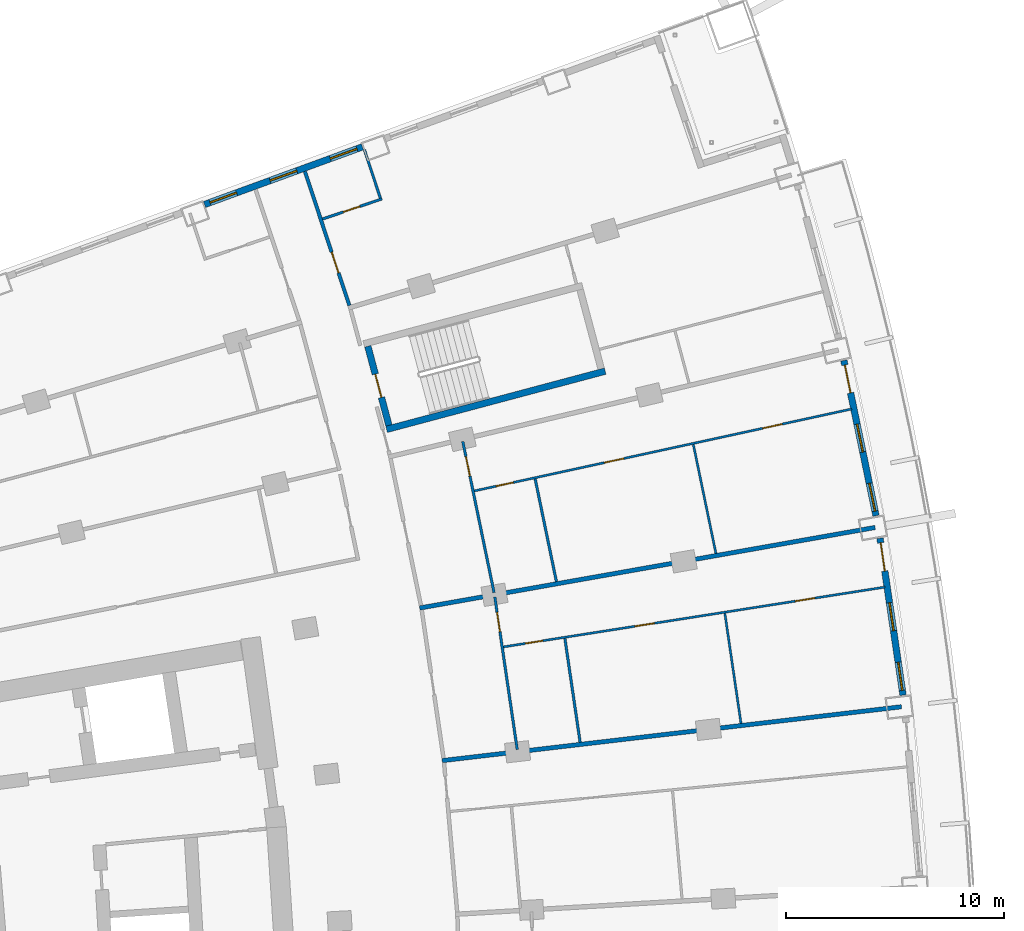
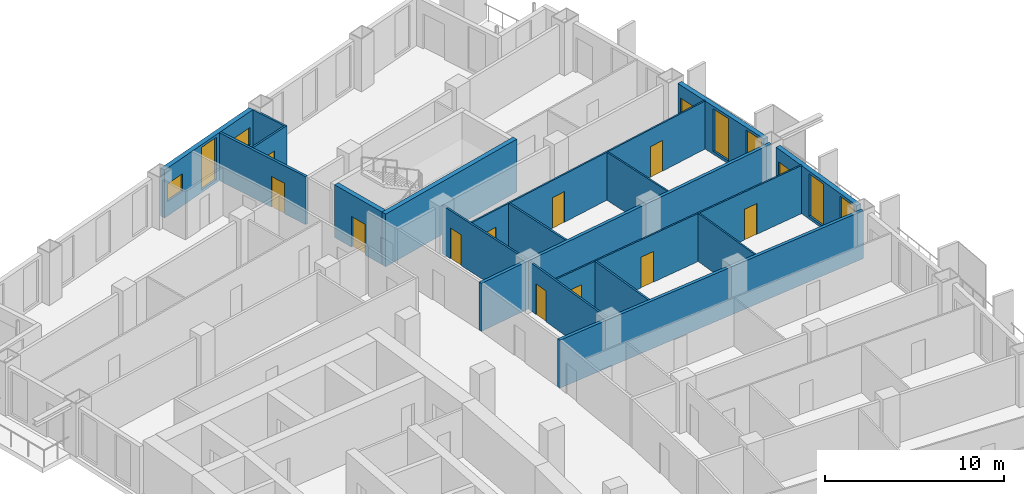
# One storey, part 18 of 23: 18 walls, 13 doors, 7 windows, 20 openings.
"""IFC4 building model written with IfcOpenShell, lengths in metres."""

from ifc_helpers import new_model, si_unit, direction, frame, frame_2d, origin, place, context, subcontext, project, spatial, rectangle, extrude, material, layer, layer_set, type_object, element, fill, save


model = new_model("IFC4")

# Units and contexts
model_context = context("Model", 3, precision=1e-05, world=origin(), true_north=direction((0.0, 1.0)))
body_context = subcontext(model_context, "Body", "Model", "MODEL_VIEW")
ifc_project = project(units=[si_unit("LENGTHUNIT", "METRE"), si_unit("AREAUNIT", "SQUARE_METRE"), si_unit("VOLUMEUNIT", "CUBIC_METRE"), si_unit("PLANEANGLEUNIT", "RADIAN"), si_unit("MASSUNIT", "GRAM", prefix="KILO")], contexts=[model_context])

# Site, building, storey
site_placement = place(None, origin())
site = spatial("IfcSite", under=ifc_project, at=site_placement, CompositionType="ELEMENT")
building_placement = place(site_placement, origin())
building = spatial("IfcBuilding", under=site, at=building_placement, Name="Alderwake Tower", CompositionType="ELEMENT")
storey_placement = place(building_placement, frame((0.0, 0.0, 71.60009765625)))
storey = spatial("IfcBuildingStorey", under=building, at=storey_placement, Name="L17", CompositionType="ELEMENT", Elevation=71.60009765625)

# Wall
ifc_material_1 = material(Name="Concrete C70/85", Category="concrete")
ifc_layer_1 = layer(ifc_material_1, 0.300048828125)
ifc_layer_set_1 = layer_set([ifc_layer_1], Name="Core wall stair enclosure 300 C70-85")
wall_type_1 = type_object("IfcWallType", Name="Core wall stair enclosure 300 C70-85", PredefinedType="SHEAR", material=ifc_layer_set_1)
wall_1_placement = place(storey_placement, frame((37.75390625, 90.268798828125, 0.0), z_axis=(0.0, 0.0, 1.0), x_axis=(0.966309214305, 0.257383958996, 0.0)))
element("IfcWall", 1, at=wall_1_placement, inside=storey, type_object=wall_type_1, Name="Core wall CW.084", PredefinedType="SHEAR", context=body_context, shape_type="SweptSolid", body=[
    extrude(rectangle(XDim=10.360107421875, YDim=0.300048828125, at=frame_2d((5.18017578125, 0.0))), origin(), (0.0, 0.0, 1.0), 3.599853515625),
])

# Wall, opening, door
wall_2_placement = place(storey_placement, frame((37.8603515625, 90.452392578125, 0.0), z_axis=(0.0, 0.0, 1.0), x_axis=(-0.257411420208, 0.966301899381, 0.0)))
wall_2 = element("IfcWall", 2, at=wall_2_placement, inside=storey, type_object=wall_type_1, Name="Core wall CW.083", PredefinedType="SHEAR", context=body_context, shape_type="SweptSolid", body=[
    extrude(rectangle(XDim=3.750244140625, YDim=0.300048828125, at=frame_2d((1.875, 0.0))), origin(), (0.0, 0.0, 1.0), 3.599853515625),
])
opening_1_placement = place(wall_2_placement, frame((1.324951171875, 0.0, 0.0)))
opening_1 = element("IfcOpeningElement", 3, at=opening_1_placement, cuts=wall_2, Name="Opening C062", PredefinedType="OPENING", context=body_context, shape_type="SweptSolid", body=[
    extrude(rectangle(XDim=1.10009765625, YDim=2.10009765625, at=frame_2d((0.550048828125, 1.050048828125))), frame((0.0, 0.159912109375, 0.0), z_axis=(0.0, -1.0, 0.0), x_axis=(1.0, 0.0, 0.0)), (0.0, 0.0, 1.0), 0.320068359375),
])
ifc_material_2 = material(Name="Steel-framed fire door leaf", Category="steel")
door_type_1 = type_object("IfcDoorType", Name="Core stair door 1100 fire-rated", OperationType="SINGLE_SWING_LEFT", PredefinedType="DOOR", material=ifc_material_2)
door_1_placement = place(opening_1_placement, origin())
door_1 = element("IfcDoor", 4, at=door_1_placement, inside=storey, type_object=door_type_1, Name="Stair door", OperationType="SINGLE_SWING_RIGHT", OverallHeight=2.10009765625, OverallWidth=1.10009765625, PredefinedType="DOOR", context=body_context, shape_type="SweptSolid", body=[
    extrude(rectangle(XDim=1.10009765625, YDim=2.10009765625, at=frame_2d((0.550048828125, 1.050048828125))), frame((0.0, 0.02490234375, 0.0), z_axis=(0.0, -1.0, 0.0), x_axis=(1.0, 0.0, 0.0)), (0.0, 0.0, 1.0), 0.050048828125),
])
fill(opening_1, door_1)

ifc_material_3 = material(Name="Gypsum board on metal studs, rated")
ifc_layer_2 = layer(ifc_material_3, 0.159912109375)
ifc_layer_set_2 = layer_set([ifc_layer_2], Name="Corridor wall 160")
wall_type_2 = type_object("IfcWallType", Name="Corridor wall 160", PredefinedType="PARTITIONING", material=ifc_layer_set_2)
wall_3_placement = place(storey_placement, frame((34.010986328125, 102.083984375, 0.0), z_axis=(0.0, 0.0, 1.0), x_axis=(0.315140606423, -0.949044992708, 0.0)))
wall_3 = element("IfcWall", 5, at=wall_3_placement, inside=storey, type_object=wall_type_2, Name="WL/L17/W29", PredefinedType="PARTITIONING", context=body_context, shape_type="SweptSolid", body=[
    extrude(rectangle(XDim=6.46875, YDim=0.159912109375, at=frame_2d((3.234375, 0.0))), origin(), (0.0, 0.0, 1.0), 3.27978515625),
])
opening_2_placement = place(wall_3_placement, frame((3.897705078125, 0.0, 0.0)))
opening_2 = element("IfcOpeningElement", 6, at=opening_2_placement, cuts=wall_3, Name="Opening R04-U04.1", PredefinedType="OPENING", context=body_context, shape_type="SweptSolid", body=[
    extrude(rectangle(XDim=1.0, YDim=2.10009765625, at=frame_2d((0.5, 1.050048828125))), frame((0.0, 0.08984375, 0.0), z_axis=(0.0, -1.0, 0.0), x_axis=(1.0, 0.0, 0.0)), (0.0, 0.0, 1.0), 0.179931640625),
])
ifc_material_4 = material(Name="Solid timber leaf in steel frame", Category="steel")
door_type_2 = type_object("IfcDoorType", Name="Flat entrance door 1000 fire-rated", OperationType="SINGLE_SWING_LEFT", PredefinedType="DOOR", material=ifc_material_4)
door_2_placement = place(opening_2_placement, origin())
door_2 = element("IfcDoor", 7, at=door_2_placement, inside=storey, type_object=door_type_2, Name="DR/L17/U04.1", OperationType="SINGLE_SWING_LEFT", OverallHeight=2.10009765625, OverallWidth=1.0, PredefinedType="DOOR", context=body_context, shape_type="SweptSolid", body=[
    extrude(rectangle(XDim=1.0, YDim=2.10009765625, at=frame_2d((0.5, 1.050048828125))), frame((0.0, 0.02490234375, 0.0), z_axis=(0.0, -1.0, 0.0), x_axis=(1.0, 0.0, 0.0)), (0.0, 0.0, 1.0), 0.050048828125),
])
fill(opening_2, door_2)

# Wall, openings, door, windows
ifc_material_5 = material(Name="Precast concrete C50/60 spandrel panel", Category="concrete")
ifc_layer_3 = layer(ifc_material_5, 0.300048828125)
ifc_layer_set_3 = layer_set([ifc_layer_3], Name="External wall EW1 Precast concrete C50/60 spandrel")
wall_type_3 = type_object("IfcWallType", Name="External wall EW1 Precast concrete C50/60 spandrel", PredefinedType="SOLIDWALL", material=ifc_layer_set_3)
wall_4_placement = place(storey_placement, frame((61.405517578125, 78.1005859375, 0.0), z_axis=(0.0, 0.0, 1.0), x_axis=(-0.145323578953, 0.989384180892, 0.0)))
wall_4 = element("IfcWall", 8, at=wall_4_placement, inside=storey, type_object=wall_type_3, Name="External wall 19", PredefinedType="SOLIDWALL", context=body_context, shape_type="SweptSolid", body=[
    extrude(rectangle(XDim=7.25927734375, YDim=0.300048828125, at=frame_2d((3.629638671875, 0.0))), origin(), (0.0, 0.0, 1.0), 3.27978515625),
])
opening_3_placement = place(wall_4_placement, frame((0.215087890625, 0.0, 0.199951171875)))
opening_3 = element("IfcOpeningElement", 9, at=opening_3_placement, cuts=wall_4, Name="Opening W1", PredefinedType="OPENING", context=body_context, shape_type="SweptSolid", body=[
    extrude(rectangle(XDim=1.300048828125, YDim=2.89990234375, at=frame_2d((0.64990234375, 1.449951171875))), frame((0.0, 0.159912109375, 0.0), z_axis=(0.0, -1.0, 0.0), x_axis=(1.0, 0.0, 0.0)), (0.0, 0.0, 1.0), 0.320068359375),
])
opening_4_placement = place(wall_4_placement, frame((2.9794921875, 0.0, 0.199951171875)))
opening_4 = element("IfcOpeningElement", 10, at=opening_4_placement, cuts=wall_4, Name="Opening W1", PredefinedType="OPENING", context=body_context, shape_type="SweptSolid", body=[
    extrude(rectangle(XDim=1.300048828125, YDim=2.89990234375, at=frame_2d((0.64990234375, 1.449951171875))), frame((0.0, 0.159912109375, 0.0), z_axis=(0.0, -1.0, 0.0), x_axis=(1.0, 0.0, 0.0)), (0.0, 0.0, 1.0), 0.320068359375),
])
opening_5_placement = place(wall_4_placement, frame((5.744140625, 0.0, 0.0)))
opening_5 = element("IfcOpeningElement", 11, at=opening_5_placement, cuts=wall_4, Name="Opening D10", PredefinedType="OPENING", context=body_context, shape_type="SweptSolid", body=[
    extrude(rectangle(XDim=1.300048828125, YDim=2.39990234375, at=frame_2d((0.64990234375, 1.199951171875))), frame((0.0, 0.159912109375, 0.0), z_axis=(0.0, -1.0, 0.0), x_axis=(1.0, 0.0, 0.0)), (0.0, 0.0, 1.0), 0.320068359375),
])
ifc_material_6 = material(Name="Bronze tinted glass in aluminium frame", Category="aluminium")
door_type_3 = type_object("IfcDoorType", Name="Balcony door BD sliding", OperationType="SLIDING_TO_LEFT", PredefinedType="DOOR", material=ifc_material_6)
door_3_placement = place(opening_5_placement, origin())
door_3 = element("IfcDoor", 12, at=door_3_placement, inside=storey, type_object=door_type_3, Name="Door D10", OperationType="SLIDING_TO_LEFT", OverallHeight=2.39990234375, OverallWidth=1.300048828125, PredefinedType="DOOR", context=body_context, shape_type="SweptSolid", body=[
    extrude(rectangle(XDim=1.300048828125, YDim=2.39990234375, at=frame_2d((0.64990234375, 1.199951171875))), frame((0.0, 0.02490234375, 0.0), z_axis=(0.0, -1.0, 0.0), x_axis=(1.0, 0.0, 0.0)), (0.0, 0.0, 1.0), 0.050048828125),
])
fill(opening_5, door_3)
ifc_material_7 = material(Name="Bronze tinted glass in aluminium frame", Category="aluminium")
window_type_1 = type_object("IfcWindowType", Name="Window W1 tall fixed and vent", PartitioningType="DOUBLE_PANEL_VERTICAL", PredefinedType="WINDOW", material=ifc_material_7)
window_1_placement = place(opening_3_placement, origin())
window_1 = element("IfcWindow", 13, at=window_1_placement, inside=storey, type_object=window_type_1, Name="Window W1 tall fixed and vent", OverallHeight=2.89990234375, OverallWidth=1.300048828125, PartitioningType="DOUBLE_PANEL_VERTICAL", PredefinedType="WINDOW", context=body_context, shape_type="SweptSolid", body=[
    extrude(rectangle(XDim=1.300048828125, YDim=2.89990234375, at=frame_2d((0.64990234375, 1.449951171875))), frame((0.0, 0.030029296875, 0.0), z_axis=(0.0, -1.0, 0.0), x_axis=(1.0, 0.0, 0.0)), (0.0, 0.0, 1.0), 0.06005859375),
])
fill(opening_3, window_1)
window_2_placement = place(opening_4_placement, origin())
window_2 = element("IfcWindow", 14, at=window_2_placement, inside=storey, type_object=window_type_1, Name="Window W1 tall fixed and vent", OverallHeight=2.89990234375, OverallWidth=1.300048828125, PartitioningType="DOUBLE_PANEL_VERTICAL", PredefinedType="WINDOW", context=body_context, shape_type="SweptSolid", body=[
    extrude(rectangle(XDim=1.300048828125, YDim=2.89990234375, at=frame_2d((0.64990234375, 1.449951171875))), frame((0.0, 0.030029296875, 0.0), z_axis=(0.0, -1.0, 0.0), x_axis=(1.0, 0.0, 0.0)), (0.0, 0.0, 1.0), 0.06005859375),
])
fill(opening_4, window_2)

wall_5_placement = place(storey_placement, frame((60.16796875, 86.3154296875, 0.0), z_axis=(0.0, 0.0, 1.0), x_axis=(-0.20276685811, 0.97922704275, 0.0)))
wall_5 = element("IfcWall", 15, at=wall_5_placement, inside=storey, type_object=wall_type_3, Name="External wall 20", PredefinedType="SOLIDWALL", context=body_context, shape_type="SweptSolid", body=[
    extrude(rectangle(XDim=7.25927734375, YDim=0.300048828125, at=frame_2d((3.629638671875, 0.0))), origin(), (0.0, 0.0, 1.0), 3.27978515625),
])
opening_6_placement = place(wall_5_placement, frame((0.215087890625, 0.0, 0.199951171875)))
opening_6 = element("IfcOpeningElement", 16, at=opening_6_placement, cuts=wall_5, Name="Opening W1", PredefinedType="OPENING", context=body_context, shape_type="SweptSolid", body=[
    extrude(rectangle(XDim=1.300048828125, YDim=2.89990234375, at=frame_2d((0.64990234375, 1.449951171875))), frame((0.0, 0.159912109375, 0.0), z_axis=(0.0, -1.0, 0.0), x_axis=(1.0, 0.0, 0.0)), (0.0, 0.0, 1.0), 0.320068359375),
])
opening_7_placement = place(wall_5_placement, frame((2.9794921875, 0.0, 0.199951171875)))
opening_7 = element("IfcOpeningElement", 17, at=opening_7_placement, cuts=wall_5, Name="Opening W1", PredefinedType="OPENING", context=body_context, shape_type="SweptSolid", body=[
    extrude(rectangle(XDim=1.300048828125, YDim=2.89990234375, at=frame_2d((0.64990234375, 1.449951171875))), frame((0.0, 0.159912109375, 0.0), z_axis=(0.0, -1.0, 0.0), x_axis=(1.0, 0.0, 0.0)), (0.0, 0.0, 1.0), 0.320068359375),
])
opening_8_placement = place(wall_5_placement, frame((5.744140625, 0.0, 0.0)))
opening_8 = element("IfcOpeningElement", 18, at=opening_8_placement, cuts=wall_5, Name="Opening D11", PredefinedType="OPENING", context=body_context, shape_type="SweptSolid", body=[
    extrude(rectangle(XDim=1.300048828125, YDim=2.39990234375, at=frame_2d((0.64990234375, 1.199951171875))), frame((0.0, 0.159912109375, 0.0), z_axis=(0.0, -1.0, 0.0), x_axis=(1.0, 0.0, 0.0)), (0.0, 0.0, 1.0), 0.320068359375),
])
door_4_placement = place(opening_8_placement, origin())
door_4 = element("IfcDoor", 19, at=door_4_placement, inside=storey, type_object=door_type_3, Name="Door D11", OperationType="SLIDING_TO_LEFT", OverallHeight=2.39990234375, OverallWidth=1.300048828125, PredefinedType="DOOR", context=body_context, shape_type="SweptSolid", body=[
    extrude(rectangle(XDim=1.300048828125, YDim=2.39990234375, at=frame_2d((0.64990234375, 1.199951171875))), frame((0.0, 0.02490234375, 0.0), z_axis=(0.0, -1.0, 0.0), x_axis=(1.0, 0.0, 0.0)), (0.0, 0.0, 1.0), 0.050048828125),
])
fill(opening_8, door_4)
window_3_placement = place(opening_6_placement, origin())
window_3 = element("IfcWindow", 20, at=window_3_placement, inside=storey, type_object=window_type_1, Name="Window W1 tall fixed and vent", OverallHeight=2.89990234375, OverallWidth=1.300048828125, PartitioningType="DOUBLE_PANEL_VERTICAL", PredefinedType="WINDOW", context=body_context, shape_type="SweptSolid", body=[
    extrude(rectangle(XDim=1.300048828125, YDim=2.89990234375, at=frame_2d((0.64990234375, 1.449951171875))), frame((0.0, 0.030029296875, 0.0), z_axis=(0.0, -1.0, 0.0), x_axis=(1.0, 0.0, 0.0)), (0.0, 0.0, 1.0), 0.06005859375),
])
fill(opening_6, window_3)
window_4_placement = place(opening_7_placement, origin())
window_4 = element("IfcWindow", 21, at=window_4_placement, inside=storey, type_object=window_type_1, Name="Window W1 tall fixed and vent", OverallHeight=2.89990234375, OverallWidth=1.300048828125, PartitioningType="DOUBLE_PANEL_VERTICAL", PredefinedType="WINDOW", context=body_context, shape_type="SweptSolid", body=[
    extrude(rectangle(XDim=1.300048828125, YDim=2.89990234375, at=frame_2d((0.64990234375, 1.449951171875))), frame((0.0, 0.030029296875, 0.0), z_axis=(0.0, -1.0, 0.0), x_axis=(1.0, 0.0, 0.0)), (0.0, 0.0, 1.0), 0.06005859375),
])
fill(opening_7, window_4)

# Wall, openings, windows
ifc_material_8 = material(Name="Bronze metal cladding on lightweight framing")
ifc_layer_4 = layer(ifc_material_8, 0.300048828125)
ifc_layer_set_4 = layer_set([ifc_layer_4], Name="External wall EW2 bronze metal cladding")
wall_type_4 = type_object("IfcWallType", Name="External wall EW2 bronze metal cladding", PredefinedType="SOLIDWALL", material=ifc_layer_set_4)
wall_6_placement = place(storey_placement, frame((36.645751953125, 103.20654296875, 0.0), z_axis=(0.0, 0.0, 1.0), x_axis=(-0.93936753929, -0.342911980148, 0.0)))
wall_6 = element("IfcWall", 22, at=wall_6_placement, inside=storey, type_object=wall_type_4, Name="External wall 27", PredefinedType="SOLIDWALL", context=body_context, shape_type="SweptSolid", body=[
    extrude(rectangle(XDim=7.695556640625, YDim=0.300048828125, at=frame_2d((3.84765625, 0.0))), origin(), (0.0, 0.0, 1.0), 3.27978515625),
])
opening_9_placement = place(wall_6_placement, frame((0.264404296875, 0.0, 1.0)))
opening_9 = element("IfcOpeningElement", 23, at=opening_9_placement, cuts=wall_6, Name="Opening W2", PredefinedType="OPENING", context=body_context, shape_type="SweptSolid", body=[
    extrude(rectangle(XDim=1.300048828125, YDim=1.199951171875, at=frame_2d((0.64990234375, 0.60009765625))), frame((0.0, 0.159912109375, 0.0), z_axis=(0.0, -1.0, 0.0), x_axis=(1.0, 0.0, 0.0)), (0.0, 0.0, 1.0), 0.320068359375),
])
opening_10_placement = place(wall_6_placement, frame((3.197998046875, 0.0, 0.199951171875)))
opening_10 = element("IfcOpeningElement", 24, at=opening_10_placement, cuts=wall_6, Name="Opening W1", PredefinedType="OPENING", context=body_context, shape_type="SweptSolid", body=[
    extrude(rectangle(XDim=1.300048828125, YDim=2.89990234375, at=frame_2d((0.64990234375, 1.449951171875))), frame((0.0, 0.159912109375, 0.0), z_axis=(0.0, -1.0, 0.0), x_axis=(1.0, 0.0, 0.0)), (0.0, 0.0, 1.0), 0.320068359375),
])
opening_11_placement = place(wall_6_placement, frame((6.13134765625, 0.0, 1.0)))
opening_11 = element("IfcOpeningElement", 25, at=opening_11_placement, cuts=wall_6, Name="Opening W2", PredefinedType="OPENING", context=body_context, shape_type="SweptSolid", body=[
    extrude(rectangle(XDim=1.300048828125, YDim=1.199951171875, at=frame_2d((0.64990234375, 0.60009765625))), frame((0.0, 0.159912109375, 0.0), z_axis=(0.0, -1.0, 0.0), x_axis=(1.0, 0.0, 0.0)), (0.0, 0.0, 1.0), 0.320068359375),
])
window_5_placement = place(opening_10_placement, origin())
window_5 = element("IfcWindow", 26, at=window_5_placement, inside=storey, type_object=window_type_1, Name="Window W1 tall fixed and vent", OverallHeight=2.89990234375, OverallWidth=1.300048828125, PartitioningType="DOUBLE_PANEL_VERTICAL", PredefinedType="WINDOW", context=body_context, shape_type="SweptSolid", body=[
    extrude(rectangle(XDim=1.300048828125, YDim=2.89990234375, at=frame_2d((0.64990234375, 1.449951171875))), frame((0.0, 0.030029296875, 0.0), z_axis=(0.0, -1.0, 0.0), x_axis=(1.0, 0.0, 0.0)), (0.0, 0.0, 1.0), 0.06005859375),
])
fill(opening_10, window_5)
ifc_material_9 = material(Name="Bronze tinted glass in aluminium frame", Category="aluminium")
window_type_2 = type_object("IfcWindowType", Name="Window W2 kitchen and bath", PartitioningType="SINGLE_PANEL", PredefinedType="WINDOW", material=ifc_material_9)
window_6_placement = place(opening_9_placement, origin())
window_6 = element("IfcWindow", 27, at=window_6_placement, inside=storey, type_object=window_type_2, Name="Window W2 kitchen and bath", OverallHeight=1.199951171875, OverallWidth=1.300048828125, PartitioningType="SINGLE_PANEL", PredefinedType="WINDOW", context=body_context, shape_type="SweptSolid", body=[
    extrude(rectangle(XDim=1.300048828125, YDim=1.199951171875, at=frame_2d((0.64990234375, 0.60009765625))), frame((0.0, 0.030029296875, 0.0), z_axis=(0.0, -1.0, 0.0), x_axis=(1.0, 0.0, 0.0)), (0.0, 0.0, 1.0), 0.06005859375),
])
fill(opening_9, window_6)
window_7_placement = place(opening_11_placement, origin())
window_7 = element("IfcWindow", 28, at=window_7_placement, inside=storey, type_object=window_type_2, Name="Window W2 kitchen and bath", OverallHeight=1.199951171875, OverallWidth=1.300048828125, PartitioningType="SINGLE_PANEL", PredefinedType="WINDOW", context=body_context, shape_type="SweptSolid", body=[
    extrude(rectangle(XDim=1.300048828125, YDim=1.199951171875, at=frame_2d((0.64990234375, 0.60009765625))), frame((0.0, 0.030029296875, 0.0), z_axis=(0.0, -1.0, 0.0), x_axis=(1.0, 0.0, 0.0)), (0.0, 0.0, 1.0), 0.06005859375),
])
fill(opening_11, window_7)

# Walls
ifc_material_10 = material(Name="Dense block masonry wall", Category="masonry")
ifc_layer_5 = layer(ifc_material_10, 0.199951171875)
ifc_layer_set_5 = layer_set([ifc_layer_5], Name="Party wall 200")
wall_type_5 = type_object("IfcWallType", Name="Party wall 200", PredefinedType="SOLIDWALL", material=ifc_layer_set_5)
wall_7_placement = place(storey_placement, frame((40.297607421875, 75.0986328125, 0.0), z_axis=(0.0, 0.0, 1.0), x_axis=(0.993196167424, 0.116453308301, 0.0)))
element("IfcWall", 29, at=wall_7_placement, inside=storey, type_object=wall_type_5, Name="WL/L17/W08", PredefinedType="SOLIDWALL", context=body_context, shape_type="SweptSolid", body=[
    extrude(rectangle(XDim=21.178466796875, YDim=0.199951171875, at=frame_2d((10.58935546875, 0.0))), origin(), (0.0, 0.0, 1.0), 3.27978515625),
])
wall_8_placement = place(storey_placement, frame((60.1259765625, 85.77587890625, 0.0), z_axis=(0.0, 0.0, 1.0), x_axis=(-0.984717809282, -0.174157503663, 0.0)))
element("IfcWall", 30, at=wall_8_placement, inside=storey, type_object=wall_type_5, Name="WL/L17/W11", PredefinedType="SOLIDWALL", context=body_context, shape_type="SweptSolid", body=[
    extrude(rectangle(XDim=21.180419921875, YDim=0.199951171875, at=frame_2d((10.59033203125, 0.0))), origin(), (0.0, 0.0, 1.0), 3.27978515625),
])

# Wall, openings, doors
ifc_material_11 = material(Name="Gypsum board on metal studs")
ifc_layer_6 = layer(ifc_material_11, 0.10009765625)
ifc_layer_set_6 = layer_set([ifc_layer_6], Name="Unit partition 100")
wall_type_6 = type_object("IfcWallType", Name="Unit partition 100", PredefinedType="PARTITIONING", material=ifc_layer_set_6)
wall_9_placement = place(storey_placement, frame((59.054931640625, 91.202880859375, 0.0), z_axis=(0.0, 0.0, 1.0), x_axis=(-0.977230284705, -0.212181456906, 0.0)))
wall_9 = element("IfcWall", 31, at=wall_9_placement, inside=storey, type_object=wall_type_6, Name="WL/L17/W75", PredefinedType="PARTITIONING", context=body_context, shape_type="SweptSolid", body=[
    extrude(rectangle(XDim=17.683837890625, YDim=0.10009765625, at=frame_2d((8.841796875, 0.0))), origin(), (0.0, 0.0, 1.0), 3.27978515625),
])
opening_12_placement = place(wall_9_placement, frame((10.688720703125, 0.0, 0.0)))
opening_12 = element("IfcOpeningElement", 32, at=opening_12_placement, cuts=wall_9, Name="Opening R04-U11.1", PredefinedType="OPENING", context=body_context, shape_type="SweptSolid", body=[
    extrude(rectangle(XDim=0.89990234375, YDim=2.10009765625, at=frame_2d((0.449951171875, 1.050048828125))), frame((0.0, 0.06005859375, 0.0), z_axis=(0.0, -1.0, 0.0), x_axis=(1.0, 0.0, 0.0)), (0.0, 0.0, 1.0), 0.1201171875),
])
opening_13_placement = place(wall_9_placement, frame((15.86474609375, 0.0, 0.0)))
opening_13 = element("IfcOpeningElement", 33, at=opening_13_placement, cuts=wall_9, Name="Opening R04-U11.4", PredefinedType="OPENING", context=body_context, shape_type="SweptSolid", body=[
    extrude(rectangle(XDim=0.800048828125, YDim=2.10009765625, at=frame_2d((0.39990234375, 1.050048828125))), frame((0.0, 0.06005859375, 0.0), z_axis=(0.0, -1.0, 0.0), x_axis=(1.0, 0.0, 0.0)), (0.0, 0.0, 1.0), 0.1201171875),
])
opening_14_placement = place(wall_9_placement, frame((3.26611328125, 0.0, 0.0)))
opening_14 = element("IfcOpeningElement", 34, at=opening_14_placement, cuts=wall_9, Name="Opening R04-U11.5", PredefinedType="OPENING", context=body_context, shape_type="SweptSolid", body=[
    extrude(rectangle(XDim=0.89990234375, YDim=2.10009765625, at=frame_2d((0.449951171875, 1.050048828125))), frame((0.0, 0.06005859375, 0.0), z_axis=(0.0, -1.0, 0.0), x_axis=(1.0, 0.0, 0.0)), (0.0, 0.0, 1.0), 0.1201171875),
])
ifc_material_12 = material(Name="Painted timber leaf", Category="wood")
door_type_4 = type_object("IfcDoorType", Name="Bathroom door 800", OperationType="SINGLE_SWING_LEFT", PredefinedType="DOOR", material=ifc_material_12)
door_5_placement = place(opening_13_placement, origin())
door_5 = element("IfcDoor", 35, at=door_5_placement, inside=storey, type_object=door_type_4, Name="DR/L17/U11.4", OperationType="SINGLE_SWING_LEFT", OverallHeight=2.10009765625, OverallWidth=0.800048828125, PredefinedType="DOOR", context=body_context, shape_type="SweptSolid", body=[
    extrude(rectangle(XDim=0.800048828125, YDim=2.10009765625, at=frame_2d((0.39990234375, 1.050048828125))), frame((0.0, 0.02490234375, 0.0), z_axis=(0.0, -1.0, 0.0), x_axis=(1.0, 0.0, 0.0)), (0.0, 0.0, 1.0), 0.050048828125),
])
fill(opening_13, door_5)
ifc_material_13 = material(Name="Painted timber leaf", Category="wood")
door_type_5 = type_object("IfcDoorType", Name="Room door 900", OperationType="SINGLE_SWING_LEFT", PredefinedType="DOOR", material=ifc_material_13)
door_6_placement = place(opening_12_placement, origin())
door_6 = element("IfcDoor", 36, at=door_6_placement, inside=storey, type_object=door_type_5, Name="DR/L17/U11.1", OperationType="SINGLE_SWING_LEFT", OverallHeight=2.10009765625, OverallWidth=0.89990234375, PredefinedType="DOOR", context=body_context, shape_type="SweptSolid", body=[
    extrude(rectangle(XDim=0.89990234375, YDim=2.10009765625, at=frame_2d((0.449951171875, 1.050048828125))), frame((0.0, 0.02490234375, 0.0), z_axis=(0.0, -1.0, 0.0), x_axis=(1.0, 0.0, 0.0)), (0.0, 0.0, 1.0), 0.050048828125),
])
fill(opening_12, door_6)
door_7_placement = place(opening_14_placement, origin())
door_7 = element("IfcDoor", 37, at=door_7_placement, inside=storey, type_object=door_type_5, Name="DR/L17/U11.5", OperationType="SINGLE_SWING_LEFT", OverallHeight=2.10009765625, OverallWidth=0.89990234375, PredefinedType="DOOR", context=body_context, shape_type="SweptSolid", body=[
    extrude(rectangle(XDim=0.89990234375, YDim=2.10009765625, at=frame_2d((0.449951171875, 1.050048828125))), frame((0.0, 0.02490234375, 0.0), z_axis=(0.0, -1.0, 0.0), x_axis=(1.0, 0.0, 0.0)), (0.0, 0.0, 1.0), 0.050048828125),
])
fill(opening_14, door_7)

wall_10_placement = place(storey_placement, frame((60.5791015625, 83.0458984375, 0.0), z_axis=(0.0, 0.0, 1.0), x_axis=(-0.987935311917, -0.154867102602, 0.0)))
wall_10 = element("IfcWall", 38, at=wall_10_placement, inside=storey, type_object=wall_type_6, Name="WL/L17/W76", PredefinedType="PARTITIONING", context=body_context, shape_type="SweptSolid", body=[
    extrude(rectangle(XDim=17.68310546875, YDim=0.10009765625, at=frame_2d((8.841552734375, 0.0))), origin(), (0.0, 0.0, 1.0), 3.27978515625),
])
opening_15_placement = place(wall_10_placement, frame((10.6884765625, 0.0, 0.0)))
opening_15 = element("IfcOpeningElement", 39, at=opening_15_placement, cuts=wall_10, Name="Opening R04-U10.1", PredefinedType="OPENING", context=body_context, shape_type="SweptSolid", body=[
    extrude(rectangle(XDim=0.89990234375, YDim=2.10009765625, at=frame_2d((0.449951171875, 1.050048828125))), frame((0.0, 0.06005859375, 0.0), z_axis=(0.0, -1.0, 0.0), x_axis=(1.0, 0.0, 0.0)), (0.0, 0.0, 1.0), 0.1201171875),
])
opening_16_placement = place(wall_10_placement, frame((15.8642578125, 0.0, 0.0)))
opening_16 = element("IfcOpeningElement", 40, at=opening_16_placement, cuts=wall_10, Name="Opening R04-U10.4", PredefinedType="OPENING", context=body_context, shape_type="SweptSolid", body=[
    extrude(rectangle(XDim=0.800048828125, YDim=2.10009765625, at=frame_2d((0.39990234375, 1.050048828125))), frame((0.0, 0.06005859375, 0.0), z_axis=(0.0, -1.0, 0.0), x_axis=(1.0, 0.0, 0.0)), (0.0, 0.0, 1.0), 0.1201171875),
])
opening_17_placement = place(wall_10_placement, frame((3.26611328125, 0.0, 0.0)))
opening_17 = element("IfcOpeningElement", 41, at=opening_17_placement, cuts=wall_10, Name="Opening R04-U10.5", PredefinedType="OPENING", context=body_context, shape_type="SweptSolid", body=[
    extrude(rectangle(XDim=0.89990234375, YDim=2.10009765625, at=frame_2d((0.449951171875, 1.050048828125))), frame((0.0, 0.06005859375, 0.0), z_axis=(0.0, -1.0, 0.0), x_axis=(1.0, 0.0, 0.0)), (0.0, 0.0, 1.0), 0.1201171875),
])
door_8_placement = place(opening_16_placement, origin())
door_8 = element("IfcDoor", 42, at=door_8_placement, inside=storey, type_object=door_type_4, Name="DR/L17/U10.4", OperationType="SINGLE_SWING_LEFT", OverallHeight=2.10009765625, OverallWidth=0.800048828125, PredefinedType="DOOR", context=body_context, shape_type="SweptSolid", body=[
    extrude(rectangle(XDim=0.800048828125, YDim=2.10009765625, at=frame_2d((0.39990234375, 1.050048828125))), frame((0.0, 0.02490234375, 0.0), z_axis=(0.0, -1.0, 0.0), x_axis=(1.0, 0.0, 0.0)), (0.0, 0.0, 1.0), 0.050048828125),
])
fill(opening_16, door_8)
door_9_placement = place(opening_15_placement, origin())
door_9 = element("IfcDoor", 43, at=door_9_placement, inside=storey, type_object=door_type_5, Name="DR/L17/U10.1", OperationType="SINGLE_SWING_LEFT", OverallHeight=2.10009765625, OverallWidth=0.89990234375, PredefinedType="DOOR", context=body_context, shape_type="SweptSolid", body=[
    extrude(rectangle(XDim=0.89990234375, YDim=2.10009765625, at=frame_2d((0.449951171875, 1.050048828125))), frame((0.0, 0.02490234375, 0.0), z_axis=(0.0, -1.0, 0.0), x_axis=(1.0, 0.0, 0.0)), (0.0, 0.0, 1.0), 0.050048828125),
])
fill(opening_15, door_9)
door_10_placement = place(opening_17_placement, origin())
door_10 = element("IfcDoor", 44, at=door_10_placement, inside=storey, type_object=door_type_5, Name="DR/L17/U10.5", OperationType="SINGLE_SWING_LEFT", OverallHeight=2.10009765625, OverallWidth=0.89990234375, PredefinedType="DOOR", context=body_context, shape_type="SweptSolid", body=[
    extrude(rectangle(XDim=0.89990234375, YDim=2.10009765625, at=frame_2d((0.449951171875, 1.050048828125))), frame((0.0, 0.02490234375, 0.0), z_axis=(0.0, -1.0, 0.0), x_axis=(1.0, 0.0, 0.0)), (0.0, 0.0, 1.0), 0.050048828125),
])
fill(opening_17, door_10)

# Walls
wall_11_placement = place(storey_placement, frame((52.836669921875, 84.5869140625, 0.0), z_axis=(0.0, 0.0, 1.0), x_axis=(-0.202944458238, 0.9791902506, 0.0)))
element("IfcWall", 45, at=wall_11_placement, inside=storey, type_object=wall_type_6, Name="WL/L17/W87", PredefinedType="PARTITIONING", context=body_context, shape_type="SweptSolid", body=[
    extrude(rectangle(XDim=5.098388671875, YDim=0.10009765625, at=frame_2d((2.54931640625, 0.0))), origin(), (0.0, 0.0, 1.0), 3.27978515625),
])
wall_12_placement = place(storey_placement, frame((53.985595703125, 76.802978515625, 0.0), z_axis=(0.0, 0.0, 1.0), x_axis=(-0.145270530609, 0.989391971332, 0.0)))
element("IfcWall", 46, at=wall_12_placement, inside=storey, type_object=wall_type_6, Name="WL/L17/W88", PredefinedType="PARTITIONING", context=body_context, shape_type="SweptSolid", body=[
    extrude(rectangle(XDim=5.095458984375, YDim=0.10009765625, at=frame_2d((2.5478515625, 0.0))), origin(), (0.0, 0.0, 1.0), 3.27978515625),
])

# Wall, opening, door
ifc_material_14 = material(Name="Moisture resistant gypsum board on metal studs")
ifc_layer_7 = layer(ifc_material_14, 0.1201171875)
ifc_layer_set_7 = layer_set([ifc_layer_7], Name="Wet room partition 120")
wall_type_7 = type_object("IfcWallType", Name="Wet room partition 120", PredefinedType="PARTITIONING", material=ifc_layer_set_7)
wall_13_placement = place(storey_placement, frame((34.81884765625, 99.901611328125, 0.0), z_axis=(0.0, 0.0, 1.0), x_axis=(0.947119631015, 0.32088067026, 0.0)))
wall_13 = element("IfcWall", 47, at=wall_13_placement, inside=storey, type_object=wall_type_7, Name="WL/L17/W50", PredefinedType="PARTITIONING", context=body_context, shape_type="SweptSolid", body=[
    extrude(rectangle(XDim=2.878173828125, YDim=0.1201171875, at=frame_2d((1.43896484375, 0.0))), origin(), (0.0, 0.0, 1.0), 3.27978515625),
])
opening_18_placement = place(wall_13_placement, frame((1.009765625, 0.0, 0.0)))
opening_18 = element("IfcOpeningElement", 48, at=opening_18_placement, cuts=wall_13, Name="Opening R04-U04.2", PredefinedType="OPENING", context=body_context, shape_type="SweptSolid", body=[
    extrude(rectangle(XDim=0.800048828125, YDim=2.10009765625, at=frame_2d((0.39990234375, 1.050048828125))), frame((0.0, 0.070068359375, 0.0), z_axis=(0.0, -1.0, 0.0), x_axis=(1.0, 0.0, 0.0)), (0.0, 0.0, 1.0), 0.14013671875),
])
door_11_placement = place(opening_18_placement, origin())
door_11 = element("IfcDoor", 49, at=door_11_placement, inside=storey, type_object=door_type_4, Name="DR/L17/U04.2", OperationType="SINGLE_SWING_LEFT", OverallHeight=2.10009765625, OverallWidth=0.800048828125, PredefinedType="DOOR", context=body_context, shape_type="SweptSolid", body=[
    extrude(rectangle(XDim=0.800048828125, YDim=2.10009765625, at=frame_2d((0.39990234375, 1.050048828125))), frame((0.0, 0.02490234375, 0.0), z_axis=(0.0, -1.0, 0.0), x_axis=(1.0, 0.0, 0.0)), (0.0, 0.0, 1.0), 0.050048828125),
])
fill(opening_18, door_11)

# Wall
wall_14_placement = place(storey_placement, frame((37.468994140625, 100.863037109375, 0.0), z_axis=(0.0, 0.0, 1.0), x_axis=(-0.314251248963, 0.94933985091, 0.0)))
element("IfcWall", 50, at=wall_14_placement, inside=storey, type_object=wall_type_7, Name="WL/L17/W53", PredefinedType="PARTITIONING", context=body_context, shape_type="SweptSolid", body=[
    extrude(rectangle(XDim=2.33544921875, YDim=0.1201171875, at=frame_2d((1.167724609375, 0.0))), origin(), (0.0, 0.0, 1.0), 3.27978515625),
])

# Wall, opening, door
wall_15_placement = place(storey_placement, frame((41.243408203125, 89.712890625, 0.0), z_axis=(0.0, 0.0, 1.0), x_axis=(0.202695854643, -0.979241742631, 0.0)))
wall_15 = element("IfcWall", 51, at=wall_15_placement, inside=storey, type_object=wall_type_7, Name="WL/L17/W55", PredefinedType="PARTITIONING", context=body_context, shape_type="SweptSolid", body=[
    extrude(rectangle(XDim=7.066650390625, YDim=0.1201171875, at=frame_2d((3.533203125, 0.0))), origin(), (0.0, 0.0, 1.0), 3.27978515625),
])
opening_19_placement = place(wall_15_placement, frame((0.711669921875, 0.0, 0.0)))
opening_19 = element("IfcOpeningElement", 52, at=opening_19_placement, cuts=wall_15, Name="Opening R04-U11.3", PredefinedType="OPENING", context=body_context, shape_type="SweptSolid", body=[
    extrude(rectangle(XDim=0.89990234375, YDim=2.10009765625, at=frame_2d((0.449951171875, 1.050048828125))), frame((0.0, 0.070068359375, 0.0), z_axis=(0.0, -1.0, 0.0), x_axis=(1.0, 0.0, 0.0)), (0.0, 0.0, 1.0), 0.14013671875),
])
door_12_placement = place(opening_19_placement, origin())
door_12 = element("IfcDoor", 53, at=door_12_placement, inside=storey, type_object=door_type_5, Name="DR/L17/U11.3", OperationType="SINGLE_SWING_LEFT", OverallHeight=2.10009765625, OverallWidth=0.89990234375, PredefinedType="DOOR", context=body_context, shape_type="SweptSolid", body=[
    extrude(rectangle(XDim=0.89990234375, YDim=2.10009765625, at=frame_2d((0.449951171875, 1.050048828125))), frame((0.0, 0.02490234375, 0.0), z_axis=(0.0, -1.0, 0.0), x_axis=(1.0, 0.0, 0.0)), (0.0, 0.0, 1.0), 0.050048828125),
])
fill(opening_19, door_12)

wall_16_placement = place(storey_placement, frame((42.71044921875, 82.595947265625, 0.0), z_axis=(0.0, 0.0, 1.0), x_axis=(0.145317973425, -0.989385004232, 0.0)))
wall_16 = element("IfcWall", 54, at=wall_16_placement, inside=storey, type_object=wall_type_7, Name="WL/L17/W57", PredefinedType="PARTITIONING", context=body_context, shape_type="SweptSolid", body=[
    extrude(rectangle(XDim=7.06787109375, YDim=0.1201171875, at=frame_2d((3.533935546875, 0.0))), origin(), (0.0, 0.0, 1.0), 3.27978515625),
])
opening_20_placement = place(wall_16_placement, frame((0.7119140625, 0.0, 0.0)))
opening_20 = element("IfcOpeningElement", 55, at=opening_20_placement, cuts=wall_16, Name="Opening R04-U10.3", PredefinedType="OPENING", context=body_context, shape_type="SweptSolid", body=[
    extrude(rectangle(XDim=0.89990234375, YDim=2.10009765625, at=frame_2d((0.449951171875, 1.050048828125))), frame((0.0, 0.070068359375, 0.0), z_axis=(0.0, -1.0, 0.0), x_axis=(1.0, 0.0, 0.0)), (0.0, 0.0, 1.0), 0.14013671875),
])
door_13_placement = place(opening_20_placement, origin())
door_13 = element("IfcDoor", 56, at=door_13_placement, inside=storey, type_object=door_type_5, Name="DR/L17/U10.3", OperationType="SINGLE_SWING_LEFT", OverallHeight=2.10009765625, OverallWidth=0.89990234375, PredefinedType="DOOR", context=body_context, shape_type="SweptSolid", body=[
    extrude(rectangle(XDim=0.89990234375, YDim=2.10009765625, at=frame_2d((0.449951171875, 1.050048828125))), frame((0.0, 0.02490234375, 0.0), z_axis=(0.0, -1.0, 0.0), x_axis=(1.0, 0.0, 0.0)), (0.0, 0.0, 1.0), 0.050048828125),
])
fill(opening_20, door_13)

# Walls
wall_17_placement = place(storey_placement, frame((45.53173828125, 83.297119140625, 0.0), z_axis=(0.0, 0.0, 1.0), x_axis=(-0.202763480801, 0.979227742077, 0.0)))
element("IfcWall", 57, at=wall_17_placement, inside=storey, type_object=wall_type_7, Name="WL/L17/W62", PredefinedType="PARTITIONING", context=body_context, shape_type="SweptSolid", body=[
    extrude(rectangle(XDim=4.806640625, YDim=0.1201171875, at=frame_2d((2.4033203125, 0.0))), origin(), (0.0, 0.0, 1.0), 3.27978515625),
])
wall_18_placement = place(storey_placement, frame((46.617431640625, 75.93896484375, 0.0), z_axis=(0.0, 0.0, 1.0), x_axis=(-0.145238137818, 0.989396726962, 0.0)))
element("IfcWall", 58, at=wall_18_placement, inside=storey, type_object=wall_type_7, Name="WL/L17/W65", PredefinedType="PARTITIONING", context=body_context, shape_type="SweptSolid", body=[
    extrude(rectangle(XDim=4.8076171875, YDim=0.1201171875, at=frame_2d((2.40380859375, 0.0))), origin(), (0.0, 0.0, 1.0), 3.27978515625),
])

save(model, "model.ifc")
